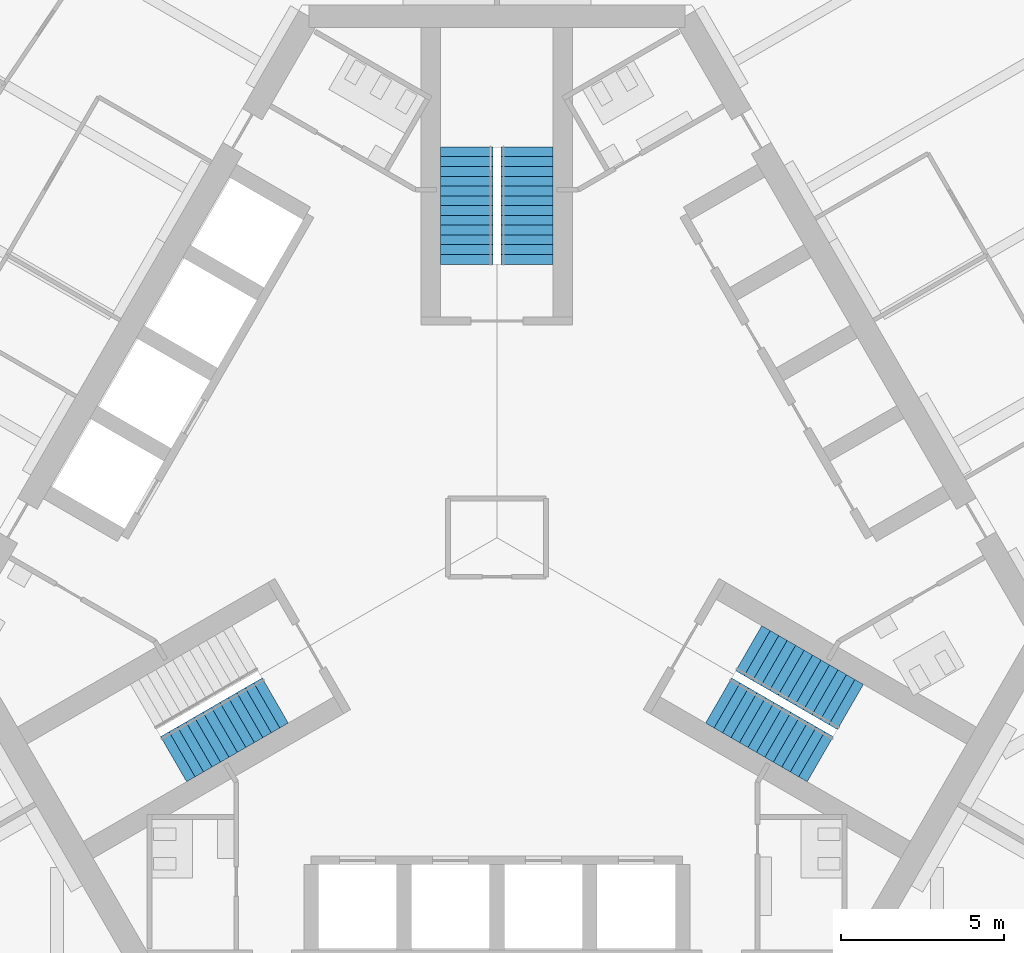
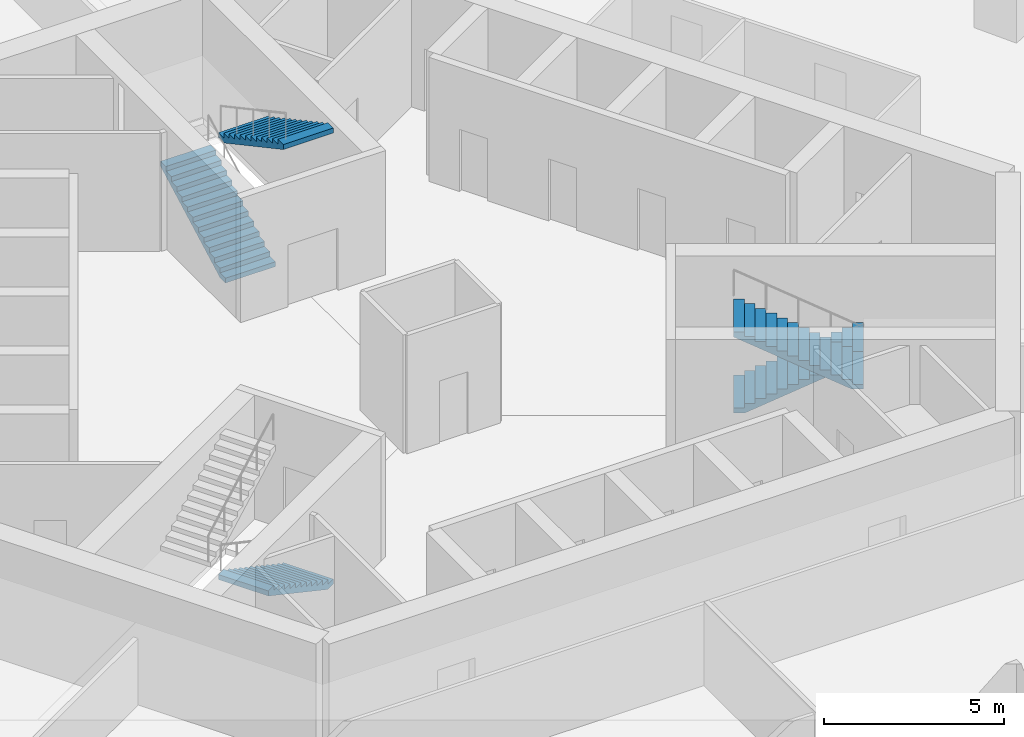
# One storey, part 14 of 19: 5 stair flights, 3 elements without a shape of their own.
"""IFC4 building model written with IfcOpenShell, lengths in metres."""

from ifc_helpers import new_model, si_unit, direction, frame, origin, place, context, subcontext, project, spatial, polyline, outline, extrude, material, type_object, element, aggregate, save


model = new_model("IFC4")

# Units and contexts
model_context = context("Model", 3, precision=1e-05, world=origin(), true_north=direction((0.0, 1.0)))
body_context = subcontext(model_context, "Body", "Model", "MODEL_VIEW")
ifc_project = project(units=[si_unit("LENGTHUNIT", "METRE"), si_unit("AREAUNIT", "SQUARE_METRE"), si_unit("VOLUMEUNIT", "CUBIC_METRE"), si_unit("PLANEANGLEUNIT", "RADIAN"), si_unit("MASSUNIT", "GRAM", prefix="KILO")], contexts=[model_context])

# Site, building, storey
site_placement = place(None, origin())
site = spatial("IfcSite", under=ifc_project, at=site_placement, CompositionType="ELEMENT")
building_placement = place(site_placement, origin())
building = spatial("IfcBuilding", under=site, at=building_placement, Name="Trefoil Bronze Tower", CompositionType="ELEMENT")
storey_placement = place(building_placement, frame((0.0, 0.0, 244.300048828125)))
storey = spatial("IfcBuildingStorey", under=building, at=storey_placement, Name="L56", CompositionType="ELEMENT", Elevation=244.300048828125)

# Stair, stair flights
ifc_material_1 = material(Name="Precast concrete B80", Category="concrete")
stair_type = type_object("IfcStairType", Name="Exit stair 26 risers", PredefinedType="HALF_TURN_STAIR", material=ifc_material_1)
stair_1_placement = place(storey_placement, origin())
stair_1 = element("IfcStair", 1, at=stair_1_placement, inside=storey, type_object=stair_type, Name="Stair ST1 L56", PredefinedType="HALF_TURN_STAIR")
ifc_material_2 = material(Name="Precast concrete B80", Category="concrete")
stair_flight_type = type_object("IfcStairFlightType", Name="Stair flight 1600", PredefinedType="STRAIGHT", material=ifc_material_2)
stair_flight_1_placement = place(storey_placement, frame((7.728515625, -3.39404296875, 0.0), z_axis=(0.0, 0.0, 1.0), x_axis=(0.866025403784, -0.5, 0.0)))
stair_flight_1 = element("IfcStairFlight", 2, at=stair_flight_1_placement, type_object=stair_flight_type, Name="ST1 flight 1", NumberOfRisers=13, NumberOfTreads=12, PredefinedType="STRAIGHT", RiserHeight=0.161538462, TreadLength=0.3, context=body_context, shape_type="SweptSolid", body=[
    extrude(outline(polyline([(0.0, 0.0), (0.0, 0.16162109375), (0.300048828125, 0.16162109375), (0.300048828125, 0.322998046875), (0.60009765625, 0.322998046875), (0.60009765625, 0.484619140625), (0.89990234375, 0.484619140625), (0.89990234375, 0.646240234375), (1.199951171875, 0.646240234375), (1.199951171875, 0.8076171875), (1.5, 0.8076171875), (1.5, 0.96923828125), (1.800048828125, 0.96923828125), (1.800048828125, 1.130859375), (2.10009765625, 1.130859375), (2.10009765625, 1.292236328125), (2.39990234375, 1.292236328125), (2.39990234375, 1.453857421875), (2.699951171875, 1.453857421875), (2.699951171875, 1.615478515625), (3.0, 1.615478515625), (3.0, 1.77685546875), (3.300048828125, 1.77685546875), (3.300048828125, 1.9384765625), (3.60009765625, 1.9384765625), (3.60009765625, 2.10009765625), (3.60009765625, 1.768310546875), (0.316162109375, 0.0), (0.0, 0.0)])), frame((0.0, 0.800048828125, 0.0), z_axis=(0.0, -1.0, 0.0), x_axis=(1.0, 0.0, 0.0)), (0.0, 0.0, 1.0), 1.60009765625),
])
stair_flight_2_placement = place(storey_placement, frame((9.921142578125, -6.796142578125, 2.099853515625), z_axis=(0.0, 0.0, 1.0), x_axis=(-0.866025403784, 0.5, 0.0)))
stair_flight_2 = element("IfcStairFlight", 3, at=stair_flight_2_placement, type_object=stair_flight_type, Name="ST1 flight 2", NumberOfRisers=13, NumberOfTreads=12, PredefinedType="STRAIGHT", RiserHeight=0.161538462, TreadLength=0.3, context=body_context, shape_type="SweptSolid", body=[
    extrude(outline(polyline([(0.0, 0.0), (0.0, 0.16162109375), (0.300048828125, 0.16162109375), (0.300048828125, 0.322998046875), (0.60009765625, 0.322998046875), (0.60009765625, 0.484619140625), (0.89990234375, 0.484619140625), (0.89990234375, 0.646240234375), (1.199951171875, 0.646240234375), (1.199951171875, 0.8076171875), (1.5, 0.8076171875), (1.5, 0.96923828125), (1.800048828125, 0.96923828125), (1.800048828125, 1.130859375), (2.10009765625, 1.130859375), (2.10009765625, 1.292236328125), (2.39990234375, 1.292236328125), (2.39990234375, 1.453857421875), (2.699951171875, 1.453857421875), (2.699951171875, 1.615478515625), (3.0, 1.615478515625), (3.0, 1.77685546875), (3.300048828125, 1.77685546875), (3.300048828125, 1.9384765625), (3.60009765625, 1.9384765625), (3.60009765625, 2.10009765625), (3.60009765625, 1.768310546875), (0.316162109375, 0.0), (0.0, 0.0)])), frame((0.0, 0.800048828125, 0.0), z_axis=(0.0, -1.0, 0.0), x_axis=(1.0, 0.0, 0.0)), (0.0, 0.0, 1.0), 1.60009765625),
])
aggregate(stair_1, [stair_flight_1, stair_flight_2])

stair_2_placement = place(storey_placement, origin())
stair_2 = element("IfcStair", 4, at=stair_2_placement, inside=storey, type_object=stair_type, Name="Stair ST2 L56", PredefinedType="HALF_TURN_STAIR")
stair_flight_3_placement = place(storey_placement, frame((-0.925048828125, 8.389892578125, 0.0), z_axis=(0.0, 0.0, 1.0), x_axis=(0.0, 1.0, 0.0)))
stair_flight_3 = element("IfcStairFlight", 5, at=stair_flight_3_placement, type_object=stair_flight_type, Name="ST2 flight 1", NumberOfRisers=13, NumberOfTreads=12, PredefinedType="STRAIGHT", RiserHeight=0.161538462, TreadLength=0.3, context=body_context, shape_type="SweptSolid", body=[
    extrude(outline(polyline([(0.0, 0.0), (0.0, 0.16162109375), (0.300048828125, 0.16162109375), (0.300048828125, 0.322998046875), (0.60009765625, 0.322998046875), (0.60009765625, 0.484619140625), (0.89990234375, 0.484619140625), (0.89990234375, 0.646240234375), (1.199951171875, 0.646240234375), (1.199951171875, 0.8076171875), (1.5, 0.8076171875), (1.5, 0.96923828125), (1.800048828125, 0.96923828125), (1.800048828125, 1.130859375), (2.10009765625, 1.130859375), (2.10009765625, 1.292236328125), (2.39990234375, 1.292236328125), (2.39990234375, 1.453857421875), (2.699951171875, 1.453857421875), (2.699951171875, 1.615478515625), (3.0, 1.615478515625), (3.0, 1.77685546875), (3.300048828125, 1.77685546875), (3.300048828125, 1.9384765625), (3.60009765625, 1.9384765625), (3.60009765625, 2.10009765625), (3.60009765625, 1.768310546875), (0.316162109375, 0.0), (0.0, 0.0)])), frame((0.0, 0.800048828125, 0.0), z_axis=(0.0, -1.0, 0.0), x_axis=(1.0, 0.0, 0.0)), (0.0, 0.0, 1.0), 1.60009765625),
])
stair_flight_4_placement = place(storey_placement, frame((0.925048828125, 11.989990234375, 2.099853515625), z_axis=(0.0, 0.0, 1.0), x_axis=(0.0, -1.0, 0.0)))
stair_flight_4 = element("IfcStairFlight", 6, at=stair_flight_4_placement, type_object=stair_flight_type, Name="ST2 flight 2", NumberOfRisers=13, NumberOfTreads=12, PredefinedType="STRAIGHT", RiserHeight=0.161538462, TreadLength=0.3, context=body_context, shape_type="SweptSolid", body=[
    extrude(outline(polyline([(0.0, 0.0), (0.0, 0.16162109375), (0.300048828125, 0.16162109375), (0.300048828125, 0.322998046875), (0.60009765625, 0.322998046875), (0.60009765625, 0.484619140625), (0.89990234375, 0.484619140625), (0.89990234375, 0.646240234375), (1.199951171875, 0.646240234375), (1.199951171875, 0.8076171875), (1.5, 0.8076171875), (1.5, 0.96923828125), (1.800048828125, 0.96923828125), (1.800048828125, 1.130859375), (2.10009765625, 1.130859375), (2.10009765625, 1.292236328125), (2.39990234375, 1.292236328125), (2.39990234375, 1.453857421875), (2.699951171875, 1.453857421875), (2.699951171875, 1.615478515625), (3.0, 1.615478515625), (3.0, 1.77685546875), (3.300048828125, 1.77685546875), (3.300048828125, 1.9384765625), (3.60009765625, 1.9384765625), (3.60009765625, 2.10009765625), (3.60009765625, 1.768310546875), (0.316162109375, 0.0), (0.0, 0.0)])), frame((0.0, 0.800048828125, 0.0), z_axis=(0.0, -1.0, 0.0), x_axis=(1.0, 0.0, 0.0)), (0.0, 0.0, 1.0), 1.60009765625),
])
aggregate(stair_2, [stair_flight_3, stair_flight_4])

# Stair, stair flight
stair_3_placement = place(storey_placement, origin())
stair_3 = element("IfcStair", 7, at=stair_3_placement, inside=storey, type_object=stair_type, Name="Stair ST3 L56", PredefinedType="HALF_TURN_STAIR")
stair_flight_5_placement = place(storey_placement, frame((-6.803466796875, -4.99609375, 0.0), z_axis=(0.0, 0.0, 1.0), x_axis=(-0.866025403784, -0.5, 0.0)))
stair_flight_5 = element("IfcStairFlight", 8, at=stair_flight_5_placement, type_object=stair_flight_type, Name="ST3 flight 1", NumberOfRisers=13, NumberOfTreads=12, PredefinedType="STRAIGHT", RiserHeight=0.161538462, TreadLength=0.3, context=body_context, shape_type="SweptSolid", body=[
    extrude(outline(polyline([(0.0, 0.0), (0.0, 0.16162109375), (0.300048828125, 0.16162109375), (0.300048828125, 0.322998046875), (0.60009765625, 0.322998046875), (0.60009765625, 0.484619140625), (0.89990234375, 0.484619140625), (0.89990234375, 0.646240234375), (1.199951171875, 0.646240234375), (1.199951171875, 0.8076171875), (1.5, 0.8076171875), (1.5, 0.96923828125), (1.800048828125, 0.96923828125), (1.800048828125, 1.130859375), (2.10009765625, 1.130859375), (2.10009765625, 1.292236328125), (2.39990234375, 1.292236328125), (2.39990234375, 1.453857421875), (2.699951171875, 1.453857421875), (2.699951171875, 1.615478515625), (3.0, 1.615478515625), (3.0, 1.77685546875), (3.300048828125, 1.77685546875), (3.300048828125, 1.9384765625), (3.60009765625, 1.9384765625), (3.60009765625, 2.10009765625), (3.60009765625, 1.768310546875), (0.316162109375, 0.0), (0.0, 0.0)])), frame((0.0, 0.800048828125, 0.0), z_axis=(0.0, -1.0, 0.0), x_axis=(1.0, 0.0, 0.0)), (0.0, 0.0, 1.0), 1.60009765625),
])
aggregate(stair_3, [stair_flight_5])

save(model, "model.ifc")
